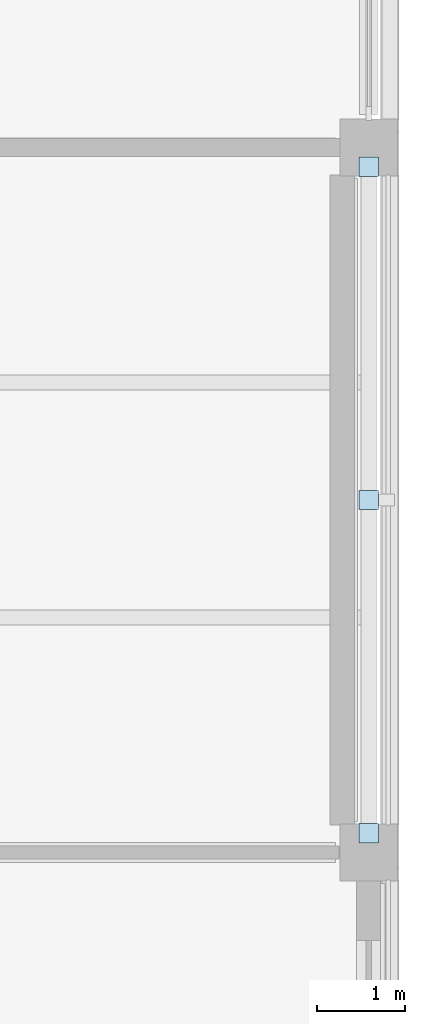
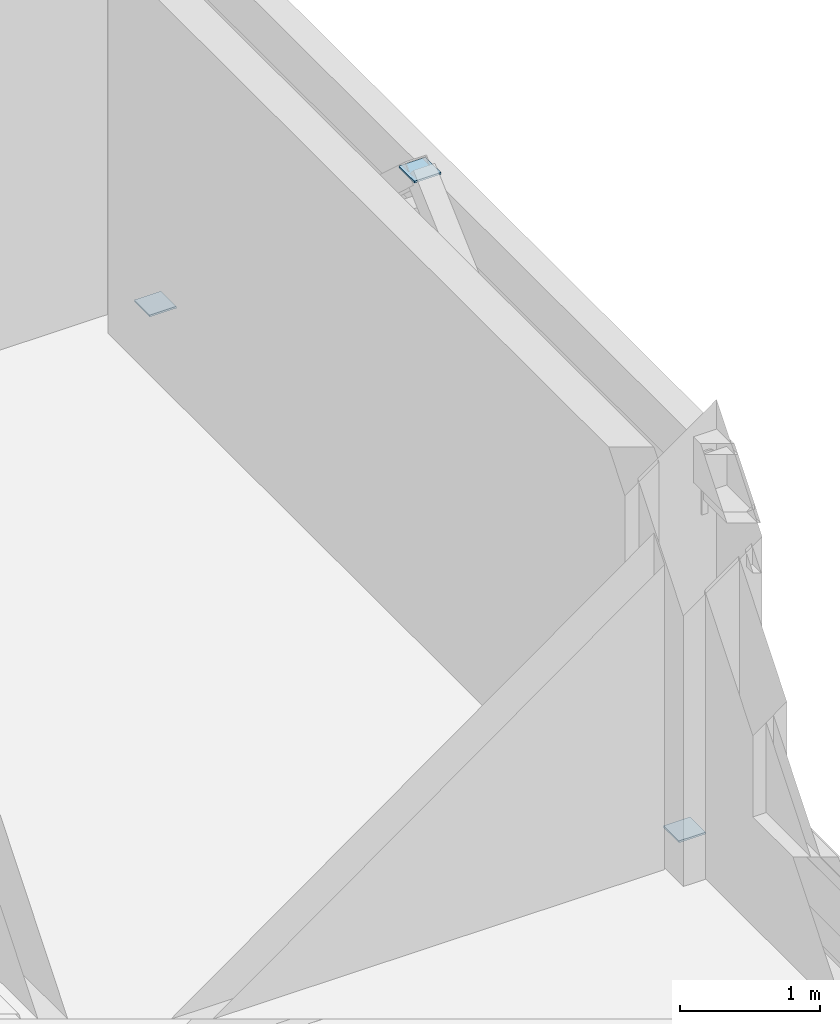
# One storey, part 86 of 126: 3 plates.
"""IFC4 building model written with IfcOpenShell, lengths in metres."""

from ifc_helpers import new_model, si_unit, derived_unit, direction, frame, origin, origin_2d, place, context, subcontext, project, spatial, rectangle, extrude, material, layer, layer_set, type_object, element, save


model = new_model("IFC4")

# Units and contexts
model_context = context("Model", 3, precision=1e-05, world=origin(), true_north=direction((0.0, 1.0)))
body_context = subcontext(model_context, "Body", "Model", "MODEL_VIEW")
ifc_project = project(units=[si_unit("LENGTHUNIT", "METRE"), si_unit("AREAUNIT", "SQUARE_METRE"), si_unit("VOLUMEUNIT", "CUBIC_METRE"), si_unit("PLANEANGLEUNIT", "RADIAN"), si_unit("MASSUNIT", "GRAM", prefix="KILO"), derived_unit("THERMALTRANSMITTANCEUNIT", [(si_unit("MASSUNIT", "GRAM", prefix="KILO"), 1), (si_unit("TIMEUNIT", "SECOND"), -3), (si_unit("THERMODYNAMICTEMPERATUREUNIT", "KELVIN"), -1)])], contexts=[model_context])

# Site, building, storey
site_placement = place(None, origin())
site = spatial("IfcSite", under=ifc_project, at=site_placement, CompositionType="ELEMENT")
building_placement = place(site_placement, origin())
building = spatial("IfcBuilding", under=site, at=building_placement, Name="Veyamyaing Civic Hall", CompositionType="ELEMENT")
storey_placement = place(building_placement, frame((0.0, 0.0, 9.89990234375)))
storey = spatial("IfcBuildingStorey", under=building, at=storey_placement, Name="L02", CompositionType="ELEMENT", Elevation=9.89990234375)

# Plates
ifc_material = material(Name="Steel S355J2", Category="steel")
ifc_layer = layer(ifc_material, 0.01611328125, Name="Steel S355J2")
ifc_layer_set = layer_set([ifc_layer], Name="Steel S355J2")
plate_type = type_object("IfcPlateType", Name="GP-04", PredefinedType="SHEET", material=ifc_layer_set)
for number, where, z_axis, x_axis, name in (
    (1, (176.0, 88.219970703125, 0.0419921875), (0.0, 0.0, 1.0), (1.0, 0.0, 0.0), "Brace base gusset plate GP-04 BF-NE L02.L"),
    (2, (176.0, 95.780029296875, 0.0419921875), (0.0, 0.0, 1.0), (1.0, 0.0, 0.0), "Brace base gusset plate GP-04 BF-NE L02.R"),
    (3, (176.0, 92.0, 3.501953125), (0.0, 0.0, 1.0), (1.0, 0.0, 0.0), "Brace apex gusset plate GP-04 BF-NE L02"),
):
    element("IfcPlate", number, at=place(storey_placement, frame(where, z_axis=z_axis, x_axis=x_axis)), inside=storey, type_object=plate_type, Name=name, PredefinedType="SHEET", context=body_context, shape_type="SweptSolid", body=[
        extrude(rectangle(XDim=0.219970703125, YDim=0.219970703125, at=origin_2d()), origin(), (0.0, 0.0, 1.0), 0.01611328125),
    ])

save(model, "model.ifc")
